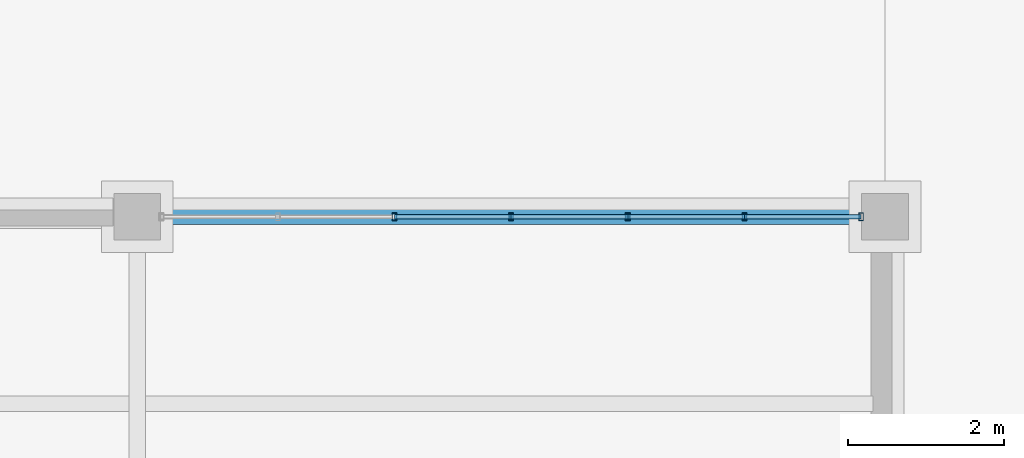
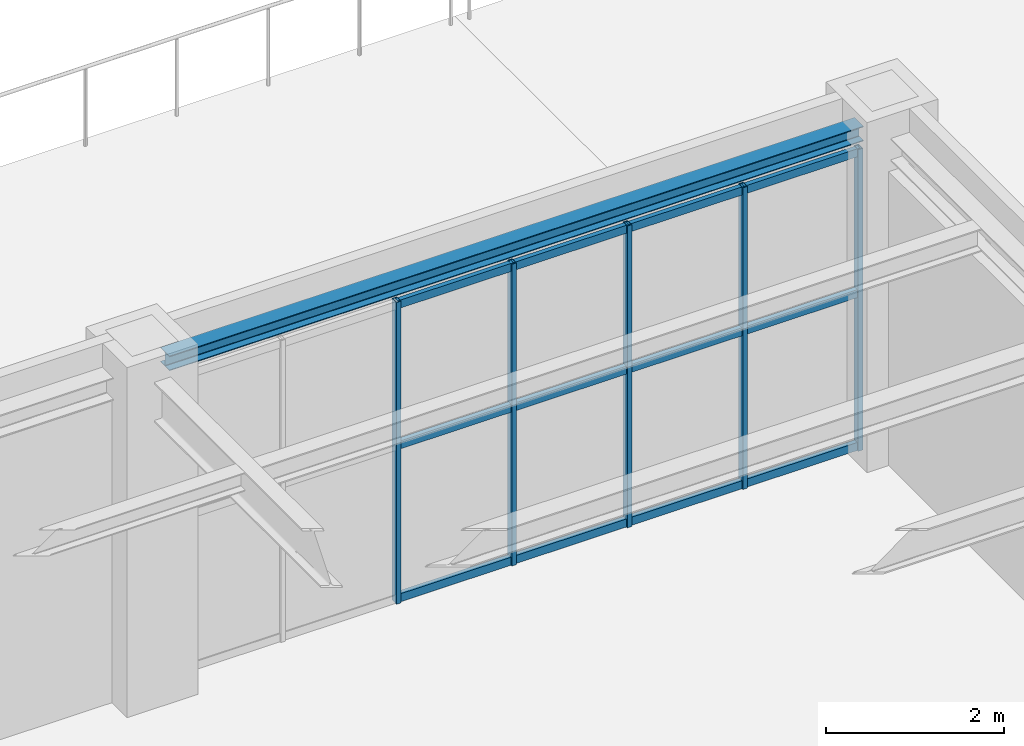
# One storey, part 14 of 83: 17 members, 1 beam, 1 element without a shape of its own.
"""IFC4 building model written with IfcOpenShell, lengths in metres."""

from ifc_helpers import new_model, si_unit, direction, frame, origin, origin_2d, place, context, subcontext, project, spatial, hollow_rectangle, i_section, extrude, material, material_profile, profile_set, type_object, element, aggregate, save


model = new_model("IFC4")

# Units and contexts
model_context = context("Model", 3, precision=1e-05, world=origin(), true_north=direction((0.0, 1.0)))
body_context = subcontext(model_context, "Body", "Model", "MODEL_VIEW")
ifc_project = project(units=[si_unit("LENGTHUNIT", "METRE"), si_unit("AREAUNIT", "SQUARE_METRE"), si_unit("VOLUMEUNIT", "CUBIC_METRE"), si_unit("PLANEANGLEUNIT", "RADIAN"), si_unit("MASSUNIT", "GRAM", prefix="KILO")], contexts=[model_context])

# Site, building, storey
site_placement = place(None, origin())
site = spatial("IfcSite", under=ifc_project, at=site_placement, CompositionType="ELEMENT")
building_placement = place(site_placement, origin())
building = spatial("IfcBuilding", under=site, at=building_placement, Name="Mavantir Sound Aquarium", CompositionType="ELEMENT")
storey_placement = place(building_placement, frame((0.0, 0.0, 10.5)))
storey = spatial("IfcBuildingStorey", under=building, at=storey_placement, Name="L02", CompositionType="ELEMENT", Elevation=10.5)

# Beam
ifc_material_1 = material(Name="Structural Steel ASTM A992 Gr50", Category="steel")
ifc_material_profile_1 = material_profile(ifc_material_1, i_section(OverallWidth=0.202880859375, OverallDepth=0.202880859375, WebThickness=0.007080078125, FlangeThickness=0.010986328125, FilletRadius=0.010009765625, at=origin_2d()), Name="W200X46")
ifc_profile_set_1 = profile_set([ifc_material_profile_1], Name="Structural Steel ASTM A992 Gr50")
beam_type = type_object("IfcBeamType", Name="BM-W200X46-E", PredefinedType="LINTEL", material=ifc_profile_set_1)
beam_placement = place(storey_placement, frame((45.89990234375, 60.0, 4.37451171875), z_axis=(1.0, 0.0, 0.0), x_axis=(0.0, 1.0, 0.0)))
element("IfcBeam", 1, at=beam_placement, inside=storey, type_object=beam_type, Name="L02 primary beam SL-20 1486", PredefinedType="LINTEL", context=body_context, shape_type="SweptSolid", body=[
    extrude(i_section(OverallWidth=0.202880859375, OverallDepth=0.202880859375, WebThickness=0.007080078125, FlangeThickness=0.010986328125, FilletRadius=0.010009765625, at=origin_2d()), origin(), (0.0, 0.0, 1.0), 9.0),
])

# Curtain wall, members
ifc_material_2 = material(Name="Anodised Marine Aluminium and Low-E Glass", Category="aluminium")
curtain_wall_type = type_object("IfcCurtainWallType", Name="CW-T05", PredefinedType="USERDEFINED", material=ifc_material_2)
curtain_wall_placement = place(storey_placement, origin())
curtain_wall = element("IfcCurtainWall", 2, at=curtain_wall_placement, inside=storey, type_object=curtain_wall_type, Name="L02 unitised curtain wall CW-05 125", ObjectType="UNITISED GLAZING", PredefinedType="USERDEFINED")
ifc_material_3 = material(Name="Anodised Marine Aluminium 6063-T6", Category="aluminium")
ifc_material_profile_2 = material_profile(ifc_material_3, hollow_rectangle(XDim=0.06005859375, YDim=0.10009765625, WallThickness=0.00390625, at=origin_2d()), Name="ALU-MULLION-100X60")
ifc_profile_set_2 = profile_set([ifc_material_profile_2], Name="Anodised Marine Aluminium 6063-T6")
member_type_1 = type_object("IfcMemberType", Name="CW-MUL-100", PredefinedType="MULLION", material=ifc_profile_set_2)
member_1_placement = place(storey_placement, frame((54.89208984375, 60.0, 0.0), z_axis=(0.0, 0.0, 1.0), x_axis=(1.0, 0.0, 0.0)))
member_1 = element("IfcMember", 3, at=member_1_placement, type_object=member_type_1, Name="CW-L02-125 vertical mullion 1", PredefinedType="MULLION", context=body_context, shape_type="SweptSolid", body=[
    extrude(hollow_rectangle(XDim=0.06005859375, YDim=0.10009765625, WallThickness=0.00390625, at=origin_2d()), origin(), (0.0, 0.0, 1.0), 4.137939453125),
])
member_2_placement = place(storey_placement, frame((53.394775390625, 60.0, 0.0), z_axis=(0.0, 0.0, 1.0), x_axis=(1.0, 0.0, 0.0)))
member_2 = element("IfcMember", 4, at=member_2_placement, type_object=member_type_1, Name="CW-L02-125 vertical mullion 2", PredefinedType="MULLION", context=body_context, shape_type="SweptSolid", body=[
    extrude(hollow_rectangle(XDim=0.06005859375, YDim=0.10009765625, WallThickness=0.00390625, at=origin_2d()), origin(), (0.0, 0.0, 1.0), 4.137939453125),
])
member_3_placement = place(storey_placement, frame((51.897216796875, 60.0, 0.0), z_axis=(0.0, 0.0, 1.0), x_axis=(1.0, 0.0, 0.0)))
member_3 = element("IfcMember", 5, at=member_3_placement, type_object=member_type_1, Name="CW-L02-125 vertical mullion 3", PredefinedType="MULLION", context=body_context, shape_type="SweptSolid", body=[
    extrude(hollow_rectangle(XDim=0.06005859375, YDim=0.10009765625, WallThickness=0.00390625, at=origin_2d()), origin(), (0.0, 0.0, 1.0), 4.137939453125),
])
member_4_placement = place(storey_placement, frame((50.39990234375, 60.0, 0.0), z_axis=(0.0, 0.0, 1.0), x_axis=(1.0, 0.0, 0.0)))
member_4 = element("IfcMember", 6, at=member_4_placement, type_object=member_type_1, Name="CW-L02-125 vertical mullion 4", PredefinedType="MULLION", context=body_context, shape_type="SweptSolid", body=[
    extrude(hollow_rectangle(XDim=0.06005859375, YDim=0.10009765625, WallThickness=0.00390625, at=origin_2d()), origin(), (0.0, 0.0, 1.0), 4.137939453125),
])
member_5_placement = place(storey_placement, frame((48.902587890625, 60.0, 0.0), z_axis=(0.0, 0.0, 1.0), x_axis=(1.0, 0.0, 0.0)))
member_5 = element("IfcMember", 7, at=member_5_placement, type_object=member_type_1, Name="CW-L02-125 vertical mullion 5", PredefinedType="MULLION", context=body_context, shape_type="SweptSolid", body=[
    extrude(hollow_rectangle(XDim=0.06005859375, YDim=0.10009765625, WallThickness=0.00390625, at=origin_2d()), origin(), (0.0, 0.0, 1.0), 4.137939453125),
])
ifc_material_profile_3 = material_profile(ifc_material_3, hollow_rectangle(XDim=0.06005859375, YDim=0.110107421875, WallThickness=0.00390625, at=origin_2d()), Name="ALU-TRANSOM-110X60")
ifc_profile_set_3 = profile_set([ifc_material_profile_3], Name="Anodised Marine Aluminium 6063-T6")
member_type_2 = type_object("IfcMemberType", Name="CW-TRN-110", PredefinedType="USERDEFINED", material=ifc_profile_set_3)
member_6_placement = place(storey_placement, frame((54.89208984375, 60.0, 0.054931640625), z_axis=(-1.0, 0.0, 0.0), x_axis=(0.0, -1.0, 0.0)))
member_6 = element("IfcMember", 8, at=member_6_placement, type_object=member_type_2, Name="CW-L02-125 transom 1.1", ObjectType="TRANSOM", PredefinedType="USERDEFINED", context=body_context, shape_type="SweptSolid", body=[
    extrude(hollow_rectangle(XDim=0.06005859375, YDim=0.110107421875, WallThickness=0.00390625, at=origin_2d()), origin(), (0.0, 0.0, 1.0), 1.497314453125),
])
member_7_placement = place(storey_placement, frame((54.89208984375, 60.0, 2.15185546875), z_axis=(-1.0, 0.0, 0.0), x_axis=(0.0, -1.0, 0.0)))
member_7 = element("IfcMember", 9, at=member_7_placement, type_object=member_type_2, Name="CW-L02-125 transom 1.2", ObjectType="TRANSOM", PredefinedType="USERDEFINED", context=body_context, shape_type="SweptSolid", body=[
    extrude(hollow_rectangle(XDim=0.06005859375, YDim=0.110107421875, WallThickness=0.00390625, at=origin_2d()), origin(), (0.0, 0.0, 1.0), 1.497314453125),
])
member_8_placement = place(storey_placement, frame((54.89208984375, 60.0, 4.0830078125), z_axis=(-1.0, 0.0, 0.0), x_axis=(0.0, -1.0, 0.0)))
member_8 = element("IfcMember", 10, at=member_8_placement, type_object=member_type_2, Name="CW-L02-125 transom 1.3", ObjectType="TRANSOM", PredefinedType="USERDEFINED", context=body_context, shape_type="SweptSolid", body=[
    extrude(hollow_rectangle(XDim=0.06005859375, YDim=0.110107421875, WallThickness=0.00390625, at=origin_2d()), origin(), (0.0, 0.0, 1.0), 1.497314453125),
])
member_9_placement = place(storey_placement, frame((53.394775390625, 60.0, 0.054931640625), z_axis=(-1.0, 0.0, 0.0), x_axis=(0.0, -1.0, 0.0)))
member_9 = element("IfcMember", 11, at=member_9_placement, type_object=member_type_2, Name="CW-L02-125 transom 2.1", ObjectType="TRANSOM", PredefinedType="USERDEFINED", context=body_context, shape_type="SweptSolid", body=[
    extrude(hollow_rectangle(XDim=0.06005859375, YDim=0.110107421875, WallThickness=0.00390625, at=origin_2d()), origin(), (0.0, 0.0, 1.0), 1.49755859375),
])
member_10_placement = place(storey_placement, frame((53.394775390625, 60.0, 2.15185546875), z_axis=(-1.0, 0.0, 0.0), x_axis=(0.0, -1.0, 0.0)))
member_10 = element("IfcMember", 12, at=member_10_placement, type_object=member_type_2, Name="CW-L02-125 transom 2.2", ObjectType="TRANSOM", PredefinedType="USERDEFINED", context=body_context, shape_type="SweptSolid", body=[
    extrude(hollow_rectangle(XDim=0.06005859375, YDim=0.110107421875, WallThickness=0.00390625, at=origin_2d()), origin(), (0.0, 0.0, 1.0), 1.49755859375),
])
member_11_placement = place(storey_placement, frame((53.394775390625, 60.0, 4.0830078125), z_axis=(-1.0, 0.0, 0.0), x_axis=(0.0, -1.0, 0.0)))
member_11 = element("IfcMember", 13, at=member_11_placement, type_object=member_type_2, Name="CW-L02-125 transom 2.3", ObjectType="TRANSOM", PredefinedType="USERDEFINED", context=body_context, shape_type="SweptSolid", body=[
    extrude(hollow_rectangle(XDim=0.06005859375, YDim=0.110107421875, WallThickness=0.00390625, at=origin_2d()), origin(), (0.0, 0.0, 1.0), 1.49755859375),
])
member_12_placement = place(storey_placement, frame((51.897216796875, 60.0, 0.054931640625), z_axis=(-1.0, 0.0, 0.0), x_axis=(0.0, -1.0, 0.0)))
member_12 = element("IfcMember", 14, at=member_12_placement, type_object=member_type_2, Name="CW-L02-125 transom 3.1", ObjectType="TRANSOM", PredefinedType="USERDEFINED", context=body_context, shape_type="SweptSolid", body=[
    extrude(hollow_rectangle(XDim=0.06005859375, YDim=0.110107421875, WallThickness=0.00390625, at=origin_2d()), origin(), (0.0, 0.0, 1.0), 1.497314453125),
])
member_13_placement = place(storey_placement, frame((51.897216796875, 60.0, 2.15185546875), z_axis=(-1.0, 0.0, 0.0), x_axis=(0.0, -1.0, 0.0)))
member_13 = element("IfcMember", 15, at=member_13_placement, type_object=member_type_2, Name="CW-L02-125 transom 3.2", ObjectType="TRANSOM", PredefinedType="USERDEFINED", context=body_context, shape_type="SweptSolid", body=[
    extrude(hollow_rectangle(XDim=0.06005859375, YDim=0.110107421875, WallThickness=0.00390625, at=origin_2d()), origin(), (0.0, 0.0, 1.0), 1.497314453125),
])
member_14_placement = place(storey_placement, frame((51.897216796875, 60.0, 4.0830078125), z_axis=(-1.0, 0.0, 0.0), x_axis=(0.0, -1.0, 0.0)))
member_14 = element("IfcMember", 16, at=member_14_placement, type_object=member_type_2, Name="CW-L02-125 transom 3.3", ObjectType="TRANSOM", PredefinedType="USERDEFINED", context=body_context, shape_type="SweptSolid", body=[
    extrude(hollow_rectangle(XDim=0.06005859375, YDim=0.110107421875, WallThickness=0.00390625, at=origin_2d()), origin(), (0.0, 0.0, 1.0), 1.497314453125),
])
member_15_placement = place(storey_placement, frame((50.39990234375, 60.0, 0.054931640625), z_axis=(-1.0, 0.0, 0.0), x_axis=(0.0, -1.0, 0.0)))
member_15 = element("IfcMember", 17, at=member_15_placement, type_object=member_type_2, Name="CW-L02-125 transom 4.1", ObjectType="TRANSOM", PredefinedType="USERDEFINED", context=body_context, shape_type="SweptSolid", body=[
    extrude(hollow_rectangle(XDim=0.06005859375, YDim=0.110107421875, WallThickness=0.00390625, at=origin_2d()), origin(), (0.0, 0.0, 1.0), 1.497314453125),
])
member_16_placement = place(storey_placement, frame((50.39990234375, 60.0, 2.15185546875), z_axis=(-1.0, 0.0, 0.0), x_axis=(0.0, -1.0, 0.0)))
member_16 = element("IfcMember", 18, at=member_16_placement, type_object=member_type_2, Name="CW-L02-125 transom 4.2", ObjectType="TRANSOM", PredefinedType="USERDEFINED", context=body_context, shape_type="SweptSolid", body=[
    extrude(hollow_rectangle(XDim=0.06005859375, YDim=0.110107421875, WallThickness=0.00390625, at=origin_2d()), origin(), (0.0, 0.0, 1.0), 1.497314453125),
])
member_17_placement = place(storey_placement, frame((50.39990234375, 60.0, 4.0830078125), z_axis=(-1.0, 0.0, 0.0), x_axis=(0.0, -1.0, 0.0)))
member_17 = element("IfcMember", 19, at=member_17_placement, type_object=member_type_2, Name="CW-L02-125 transom 4.3", ObjectType="TRANSOM", PredefinedType="USERDEFINED", context=body_context, shape_type="SweptSolid", body=[
    extrude(hollow_rectangle(XDim=0.06005859375, YDim=0.110107421875, WallThickness=0.00390625, at=origin_2d()), origin(), (0.0, 0.0, 1.0), 1.497314453125),
])
aggregate(curtain_wall, [member_1, member_2, member_3, member_4, member_5, member_6, member_7, member_8, member_9, member_10, member_11, member_12, member_13, member_14, member_15, member_16, member_17])

save(model, "model.ifc")
